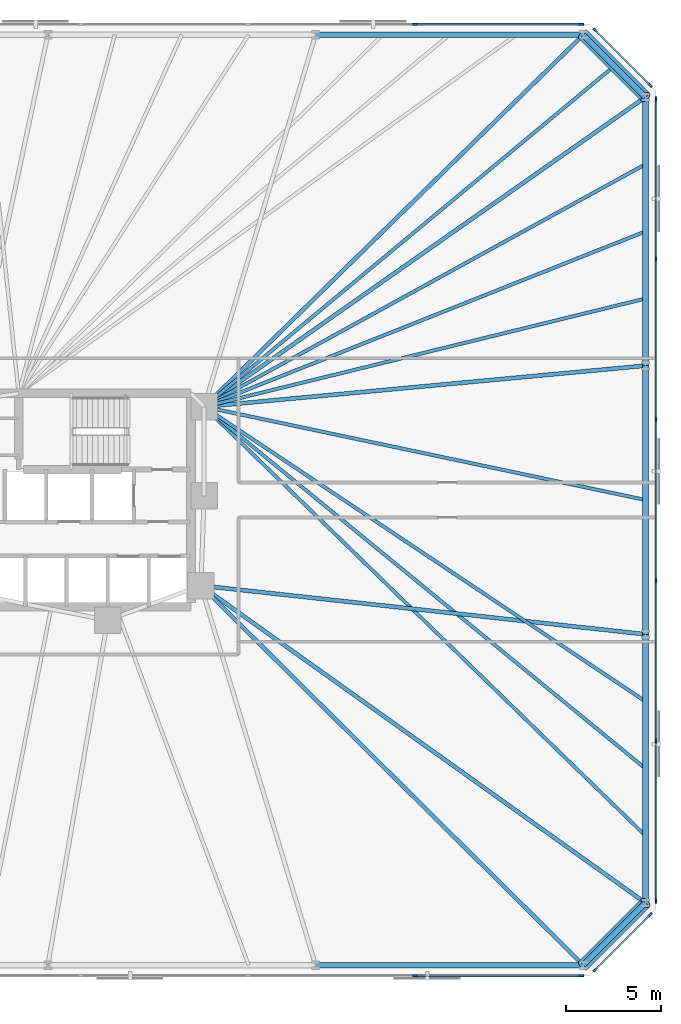
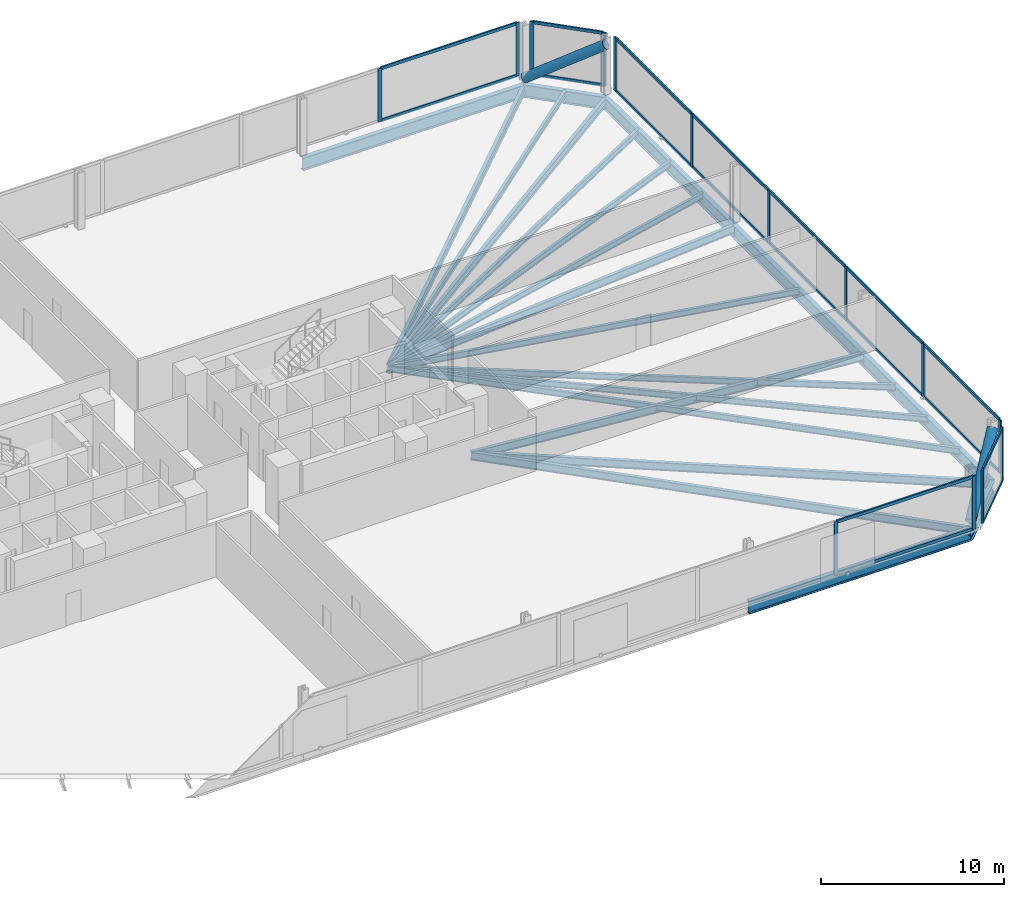
# One storey, part 10 of 16: 34 members, 21 beams, 5 elements without a shape of their own.
"""IFC4 building model written with IfcOpenShell, lengths in metres."""

from ifc_helpers import new_model, si_unit, direction, frame, origin, origin_2d, place, context, subcontext, project, spatial, rectangle, hollow_circle, i_section, extrude, material, material_profile, profile_set, type_object, element, aggregate, save


model = new_model("IFC4")

# Units and contexts
model_context = context("Model", 3, precision=1e-05, world=origin(), true_north=direction((0.0, 1.0)))
body_context = subcontext(model_context, "Body", "Model", "MODEL_VIEW")
ifc_project = project(units=[si_unit("LENGTHUNIT", "METRE"), si_unit("AREAUNIT", "SQUARE_METRE"), si_unit("VOLUMEUNIT", "CUBIC_METRE"), si_unit("PLANEANGLEUNIT", "RADIAN"), si_unit("MASSUNIT", "GRAM", prefix="KILO")], contexts=[model_context])

# Site, building, storey
site_placement = place(None, origin())
site = spatial("IfcSite", under=ifc_project, at=site_placement, CompositionType="ELEMENT")
building_placement = place(site_placement, origin())
building = spatial("IfcBuilding", under=site, at=building_placement, Name="Menara Jurai Vektor", CompositionType="ELEMENT")
storey_placement = place(building_placement, frame((0.0, 0.0, 40.800048828125)))
storey = spatial("IfcBuildingStorey", under=building, at=storey_placement, Name="L09", CompositionType="ELEMENT", Elevation=40.800048828125)

# Curtain wall, members
ifc_material_1 = material(Name="Anodised Pale Aluminium & Low-E Double Glazing", Category="aluminium")
curtain_wall_type = type_object("IfcCurtainWallType", Name="CW-BLK1", PredefinedType="NOTDEFINED", material=ifc_material_1)
curtain_wall_1_placement = place(storey_placement, origin())
curtain_wall_1 = element("IfcCurtainWall", 1, at=curtain_wall_1_placement, inside=storey, type_object=curtain_wall_type, Name="Unitised Curtain Wall L09 F01", PredefinedType="NOTDEFINED")
ifc_material_2 = material(Name="Anodised Pale Aluminium Mullion", Category="aluminium")
ifc_material_profile_1 = material_profile(ifc_material_2, rectangle(XDim=0.094970703125, YDim=0.239990234375, at=origin_2d()), Name="ALU MUL 95x240")
ifc_profile_set_1 = profile_set([ifc_material_profile_1], Name="Anodised Pale Aluminium Mullion")
member_type_1 = type_object("IfcMemberType", Name="CW-BLK1-MUL", PredefinedType="MULLION", material=ifc_profile_set_1)
member_1_placement = place(storey_placement, frame((26.340087890625, -25.0, 0.0), z_axis=(0.0, 0.0, 1.0), x_axis=(0.0, 1.0, 0.0)))
member_1 = element("IfcMember", 2, at=member_1_placement, type_object=member_type_1, Name="CW-01 mullion 8", PredefinedType="MULLION", context=body_context, shape_type="SweptSolid", body=[
    extrude(rectangle(XDim=0.094970703125, YDim=0.239990234375, at=origin_2d()), origin(), (0.0, 0.0, 1.0), 3.574951171875),
])
member_2_placement = place(storey_placement, frame((35.072509765625, -25.0, 0.0), z_axis=(0.0, 0.0, 1.0), x_axis=(0.0, 1.0, 0.0)))
member_2 = element("IfcMember", 3, at=member_2_placement, type_object=member_type_1, Name="CW-01 mullion 9", PredefinedType="MULLION", context=body_context, shape_type="SweptSolid", body=[
    extrude(rectangle(XDim=0.094970703125, YDim=0.239990234375, at=origin_2d()), origin(), (0.0, 0.0, 1.0), 3.574951171875),
])

curtain_wall_2_placement = place(storey_placement, origin())
curtain_wall_2 = element("IfcCurtainWall", 4, at=curtain_wall_2_placement, inside=storey, type_object=curtain_wall_type, Name="Unitised Curtain Wall L09 F02", PredefinedType="NOTDEFINED")
member_3_placement = place(storey_placement, frame((35.80224609375, -24.69775390625, 0.0), z_axis=(0.0, 0.0, 1.0), x_axis=(-0.707106781187, 0.707106781187, 0.0)))
member_3 = element("IfcMember", 5, at=member_3_placement, type_object=member_type_1, Name="CW-01 mullion 1", PredefinedType="MULLION", context=body_context, shape_type="SweptSolid", body=[
    extrude(rectangle(XDim=0.094970703125, YDim=0.239990234375, at=origin_2d()), origin(), (0.0, 0.0, 1.0), 3.574951171875),
])
member_4_placement = place(storey_placement, frame((38.69775390625, -21.80224609375, 0.0), z_axis=(0.0, 0.0, 1.0), x_axis=(-0.707106781187, 0.707106781187, 0.0)))
member_4 = element("IfcMember", 6, at=member_4_placement, type_object=member_type_1, Name="CW-01 mullion 2", PredefinedType="MULLION", context=body_context, shape_type="SweptSolid", body=[
    extrude(rectangle(XDim=0.094970703125, YDim=0.239990234375, at=origin_2d()), origin(), (0.0, 0.0, 1.0), 3.574951171875),
])

curtain_wall_3_placement = place(storey_placement, origin())
curtain_wall_3 = element("IfcCurtainWall", 7, at=curtain_wall_3_placement, inside=storey, type_object=curtain_wall_type, Name="Unitised Curtain Wall L09 F03", PredefinedType="NOTDEFINED")
member_5_placement = place(storey_placement, frame((39.0, -21.072509765625, 0.0), z_axis=(0.0, 0.0, 1.0), x_axis=(-1.0, 0.0, 0.0)))
member_5 = element("IfcMember", 8, at=member_5_placement, type_object=member_type_1, Name="CW-01 mullion 1", PredefinedType="MULLION", context=body_context, shape_type="SweptSolid", body=[
    extrude(rectangle(XDim=0.094970703125, YDim=0.239990234375, at=origin_2d()), origin(), (0.0, 0.0, 1.0), 3.574951171875),
])
member_6_placement = place(storey_placement, frame((39.0, -12.672119140625, 0.0), z_axis=(0.0, 0.0, 1.0), x_axis=(-1.0, 0.0, 0.0)))
member_6 = element("IfcMember", 9, at=member_6_placement, type_object=member_type_1, Name="CW-01 mullion 2", PredefinedType="MULLION", context=body_context, shape_type="SweptSolid", body=[
    extrude(rectangle(XDim=0.094970703125, YDim=0.239990234375, at=origin_2d()), origin(), (0.0, 0.0, 1.0), 3.574951171875),
])
member_7_placement = place(storey_placement, frame((39.0, -4.22412109375, 0.0), z_axis=(0.0, 0.0, 1.0), x_axis=(-1.0, 0.0, 0.0)))
member_7 = element("IfcMember", 10, at=member_7_placement, type_object=member_type_1, Name="CW-01 mullion 3", PredefinedType="MULLION", context=body_context, shape_type="SweptSolid", body=[
    extrude(rectangle(XDim=0.094970703125, YDim=0.239990234375, at=origin_2d()), origin(), (0.0, 0.0, 1.0), 3.574951171875),
])
member_8_placement = place(storey_placement, frame((39.0, 4.22412109375, 0.0), z_axis=(0.0, 0.0, 1.0), x_axis=(-1.0, 0.0, 0.0)))
member_8 = element("IfcMember", 11, at=member_8_placement, type_object=member_type_1, Name="CW-01 mullion 4", PredefinedType="MULLION", context=body_context, shape_type="SweptSolid", body=[
    extrude(rectangle(XDim=0.094970703125, YDim=0.239990234375, at=origin_2d()), origin(), (0.0, 0.0, 1.0), 3.574951171875),
])
member_9_placement = place(storey_placement, frame((39.0, 12.672119140625, 0.0), z_axis=(0.0, 0.0, 1.0), x_axis=(-1.0, 0.0, 0.0)))
member_9 = element("IfcMember", 12, at=member_9_placement, type_object=member_type_1, Name="CW-01 mullion 5", PredefinedType="MULLION", context=body_context, shape_type="SweptSolid", body=[
    extrude(rectangle(XDim=0.094970703125, YDim=0.239990234375, at=origin_2d()), origin(), (0.0, 0.0, 1.0), 3.574951171875),
])
member_10_placement = place(storey_placement, frame((39.0, 21.072509765625, 0.0), z_axis=(0.0, 0.0, 1.0), x_axis=(-1.0, 0.0, 0.0)))
member_10 = element("IfcMember", 13, at=member_10_placement, type_object=member_type_1, Name="CW-01 mullion 6", PredefinedType="MULLION", context=body_context, shape_type="SweptSolid", body=[
    extrude(rectangle(XDim=0.094970703125, YDim=0.239990234375, at=origin_2d()), origin(), (0.0, 0.0, 1.0), 3.574951171875),
])

curtain_wall_4_placement = place(storey_placement, origin())
curtain_wall_4 = element("IfcCurtainWall", 14, at=curtain_wall_4_placement, inside=storey, type_object=curtain_wall_type, Name="Unitised Curtain Wall L09 F04", PredefinedType="NOTDEFINED")
member_11_placement = place(storey_placement, frame((38.69775390625, 21.80224609375, 0.0), z_axis=(0.0, 0.0, 1.0), x_axis=(-0.707106781187, -0.707106781187, 0.0)))
member_11 = element("IfcMember", 15, at=member_11_placement, type_object=member_type_1, Name="CW-01 mullion 1", PredefinedType="MULLION", context=body_context, shape_type="SweptSolid", body=[
    extrude(rectangle(XDim=0.094970703125, YDim=0.239990234375, at=origin_2d()), origin(), (0.0, 0.0, 1.0), 3.574951171875),
])
member_12_placement = place(storey_placement, frame((35.80224609375, 24.69775390625, 0.0), z_axis=(0.0, 0.0, 1.0), x_axis=(-0.707106781187, -0.707106781187, 0.0)))
member_12 = element("IfcMember", 16, at=member_12_placement, type_object=member_type_1, Name="CW-01 mullion 2", PredefinedType="MULLION", context=body_context, shape_type="SweptSolid", body=[
    extrude(rectangle(XDim=0.094970703125, YDim=0.239990234375, at=origin_2d()), origin(), (0.0, 0.0, 1.0), 3.574951171875),
])

curtain_wall_5_placement = place(storey_placement, origin())
curtain_wall_5 = element("IfcCurtainWall", 17, at=curtain_wall_5_placement, inside=storey, type_object=curtain_wall_type, Name="Unitised Curtain Wall L09 F05", PredefinedType="NOTDEFINED")
member_13_placement = place(storey_placement, frame((35.072509765625, 25.0, 0.0), z_axis=(0.0, 0.0, 1.0), x_axis=(0.0, -1.0, 0.0)))
member_13 = element("IfcMember", 18, at=member_13_placement, type_object=member_type_1, Name="CW-01 mullion 1", PredefinedType="MULLION", context=body_context, shape_type="SweptSolid", body=[
    extrude(rectangle(XDim=0.094970703125, YDim=0.239990234375, at=origin_2d()), origin(), (0.0, 0.0, 1.0), 3.574951171875),
])
member_14_placement = place(storey_placement, frame((26.340087890625, 25.0, 0.0), z_axis=(0.0, 0.0, 1.0), x_axis=(0.0, -1.0, 0.0)))
member_14 = element("IfcMember", 19, at=member_14_placement, type_object=member_type_1, Name="CW-01 mullion 2", PredefinedType="MULLION", context=body_context, shape_type="SweptSolid", body=[
    extrude(rectangle(XDim=0.094970703125, YDim=0.239990234375, at=origin_2d()), origin(), (0.0, 0.0, 1.0), 3.574951171875),
])

# Member
ifc_material_3 = material(Name="Anodised Pale Aluminium Transom", Category="aluminium")
ifc_material_profile_2 = material_profile(ifc_material_3, rectangle(XDim=0.094970703125, YDim=0.199951171875, at=origin_2d()), Name="ALU TRN 95x200")
ifc_profile_set_2 = profile_set([ifc_material_profile_2], Name="Anodised Pale Aluminium Transom")
member_type_2 = type_object("IfcMemberType", Name="CW-BLK1-TRN", PredefinedType="USERDEFINED", material=ifc_profile_set_2)
member_15_placement = place(storey_placement, frame((26.387451171875, -25.0, 0.04736328125), z_axis=(1.0, 0.0, 0.0), x_axis=(0.0, 1.0, 0.0)))
member_15 = element("IfcMember", 20, at=member_15_placement, type_object=member_type_2, Name="CW-01 transom 8.1", ObjectType="TRANSOM", PredefinedType="USERDEFINED", context=body_context, shape_type="SweptSolid", body=[
    extrude(rectangle(XDim=0.094970703125, YDim=0.199951171875, at=origin_2d()), origin(), (0.0, 0.0, 1.0), 8.637451171875),
])

member_16_placement = place(storey_placement, frame((26.387451171875, -25.0, 3.52734375), z_axis=(1.0, 0.0, 0.0), x_axis=(0.0, 1.0, 0.0)))
member_16 = element("IfcMember", 21, at=member_16_placement, type_object=member_type_2, Name="CW-01 transom 8.2", ObjectType="TRANSOM", PredefinedType="USERDEFINED", context=body_context, shape_type="SweptSolid", body=[
    extrude(rectangle(XDim=0.094970703125, YDim=0.199951171875, at=origin_2d()), origin(), (0.0, 0.0, 1.0), 8.637451171875),
])

aggregate(curtain_wall_1, [member_1, member_2, member_15, member_16])

member_17_placement = place(storey_placement, frame((35.8359375, -24.6640625, 0.04736328125), z_axis=(0.707106781187, 0.707106781187, 0.0), x_axis=(-0.707106781187, 0.707106781187, 0.0)))
member_17 = element("IfcMember", 22, at=member_17_placement, type_object=member_type_2, Name="CW-01 transom 1.1", ObjectType="TRANSOM", PredefinedType="USERDEFINED", context=body_context, shape_type="SweptSolid", body=[
    extrude(rectangle(XDim=0.094970703125, YDim=0.199951171875, at=origin_2d()), origin(), (0.0, 0.0, 1.0), 3.99951171875),
])

member_18_placement = place(storey_placement, frame((35.8359375, -24.6640625, 3.52734375), z_axis=(0.707106781187, 0.707106781187, 0.0), x_axis=(-0.707106781187, 0.707106781187, 0.0)))
member_18 = element("IfcMember", 23, at=member_18_placement, type_object=member_type_2, Name="CW-01 transom 1.2", ObjectType="TRANSOM", PredefinedType="USERDEFINED", context=body_context, shape_type="SweptSolid", body=[
    extrude(rectangle(XDim=0.094970703125, YDim=0.199951171875, at=origin_2d()), origin(), (0.0, 0.0, 1.0), 3.99951171875),
])

aggregate(curtain_wall_2, [member_3, member_4, member_17, member_18])

member_19_placement = place(storey_placement, frame((39.0, -21.02490234375, 0.04736328125), z_axis=(0.0, 1.0, 0.0), x_axis=(-1.0, 0.0, 0.0)))
member_19 = element("IfcMember", 24, at=member_19_placement, type_object=member_type_2, Name="CW-01 transom 1.1", ObjectType="TRANSOM", PredefinedType="USERDEFINED", context=body_context, shape_type="SweptSolid", body=[
    extrude(rectangle(XDim=0.094970703125, YDim=0.199951171875, at=origin_2d()), origin(), (0.0, 0.0, 1.0), 8.305419921875),
])

member_20_placement = place(storey_placement, frame((39.0, -21.02490234375, 3.52734375), z_axis=(0.0, 1.0, 0.0), x_axis=(-1.0, 0.0, 0.0)))
member_20 = element("IfcMember", 25, at=member_20_placement, type_object=member_type_2, Name="CW-01 transom 1.2", ObjectType="TRANSOM", PredefinedType="USERDEFINED", context=body_context, shape_type="SweptSolid", body=[
    extrude(rectangle(XDim=0.094970703125, YDim=0.199951171875, at=origin_2d()), origin(), (0.0, 0.0, 1.0), 8.305419921875),
])

member_21_placement = place(storey_placement, frame((39.0, -12.62451171875, 0.04736328125), z_axis=(0.0, 1.0, 0.0), x_axis=(-1.0, 0.0, 0.0)))
member_21 = element("IfcMember", 26, at=member_21_placement, type_object=member_type_2, Name="CW-01 transom 2.1", ObjectType="TRANSOM", PredefinedType="USERDEFINED", context=body_context, shape_type="SweptSolid", body=[
    extrude(rectangle(XDim=0.094970703125, YDim=0.199951171875, at=origin_2d()), origin(), (0.0, 0.0, 1.0), 8.35302734375),
])

member_22_placement = place(storey_placement, frame((39.0, -12.62451171875, 3.52734375), z_axis=(0.0, 1.0, 0.0), x_axis=(-1.0, 0.0, 0.0)))
member_22 = element("IfcMember", 27, at=member_22_placement, type_object=member_type_2, Name="CW-01 transom 2.2", ObjectType="TRANSOM", PredefinedType="USERDEFINED", context=body_context, shape_type="SweptSolid", body=[
    extrude(rectangle(XDim=0.094970703125, YDim=0.199951171875, at=origin_2d()), origin(), (0.0, 0.0, 1.0), 8.35302734375),
])

member_23_placement = place(storey_placement, frame((39.0, -4.176513671875, 0.04736328125), z_axis=(0.0, 1.0, 0.0), x_axis=(-1.0, 0.0, 0.0)))
member_23 = element("IfcMember", 28, at=member_23_placement, type_object=member_type_2, Name="CW-01 transom 3.1", ObjectType="TRANSOM", PredefinedType="USERDEFINED", context=body_context, shape_type="SweptSolid", body=[
    extrude(rectangle(XDim=0.094970703125, YDim=0.199951171875, at=origin_2d()), origin(), (0.0, 0.0, 1.0), 8.35302734375),
])

member_24_placement = place(storey_placement, frame((39.0, -4.176513671875, 3.52734375), z_axis=(0.0, 1.0, 0.0), x_axis=(-1.0, 0.0, 0.0)))
member_24 = element("IfcMember", 29, at=member_24_placement, type_object=member_type_2, Name="CW-01 transom 3.2", ObjectType="TRANSOM", PredefinedType="USERDEFINED", context=body_context, shape_type="SweptSolid", body=[
    extrude(rectangle(XDim=0.094970703125, YDim=0.199951171875, at=origin_2d()), origin(), (0.0, 0.0, 1.0), 8.35302734375),
])

member_25_placement = place(storey_placement, frame((39.0, 4.271484375, 0.04736328125), z_axis=(0.0, 1.0, 0.0), x_axis=(-1.0, 0.0, 0.0)))
member_25 = element("IfcMember", 30, at=member_25_placement, type_object=member_type_2, Name="CW-01 transom 4.1", ObjectType="TRANSOM", PredefinedType="USERDEFINED", context=body_context, shape_type="SweptSolid", body=[
    extrude(rectangle(XDim=0.094970703125, YDim=0.199951171875, at=origin_2d()), origin(), (0.0, 0.0, 1.0), 8.35302734375),
])

member_26_placement = place(storey_placement, frame((39.0, 4.271484375, 3.52734375), z_axis=(0.0, 1.0, 0.0), x_axis=(-1.0, 0.0, 0.0)))
member_26 = element("IfcMember", 31, at=member_26_placement, type_object=member_type_2, Name="CW-01 transom 4.2", ObjectType="TRANSOM", PredefinedType="USERDEFINED", context=body_context, shape_type="SweptSolid", body=[
    extrude(rectangle(XDim=0.094970703125, YDim=0.199951171875, at=origin_2d()), origin(), (0.0, 0.0, 1.0), 8.35302734375),
])

member_27_placement = place(storey_placement, frame((39.0, 12.719482421875, 0.04736328125), z_axis=(0.0, 1.0, 0.0), x_axis=(-1.0, 0.0, 0.0)))
member_27 = element("IfcMember", 32, at=member_27_placement, type_object=member_type_2, Name="CW-01 transom 5.1", ObjectType="TRANSOM", PredefinedType="USERDEFINED", context=body_context, shape_type="SweptSolid", body=[
    extrude(rectangle(XDim=0.094970703125, YDim=0.199951171875, at=origin_2d()), origin(), (0.0, 0.0, 1.0), 8.305419921875),
])

member_28_placement = place(storey_placement, frame((39.0, 12.719482421875, 3.52734375), z_axis=(0.0, 1.0, 0.0), x_axis=(-1.0, 0.0, 0.0)))
member_28 = element("IfcMember", 33, at=member_28_placement, type_object=member_type_2, Name="CW-01 transom 5.2", ObjectType="TRANSOM", PredefinedType="USERDEFINED", context=body_context, shape_type="SweptSolid", body=[
    extrude(rectangle(XDim=0.094970703125, YDim=0.199951171875, at=origin_2d()), origin(), (0.0, 0.0, 1.0), 8.305419921875),
])

aggregate(curtain_wall_3, [member_5, member_6, member_7, member_8, member_9, member_10, member_19, member_20, member_21, member_22, member_23, member_24, member_25, member_26, member_27, member_28])

member_29_placement = place(storey_placement, frame((38.6640625, 21.8359375, 0.04736328125), z_axis=(-0.707106781187, 0.707106781187, 0.0), x_axis=(-0.707106781187, -0.707106781187, 0.0)))
member_29 = element("IfcMember", 34, at=member_29_placement, type_object=member_type_2, Name="CW-01 transom 1.1", ObjectType="TRANSOM", PredefinedType="USERDEFINED", context=body_context, shape_type="SweptSolid", body=[
    extrude(rectangle(XDim=0.094970703125, YDim=0.199951171875, at=origin_2d()), origin(), (0.0, 0.0, 1.0), 3.99951171875),
])

member_30_placement = place(storey_placement, frame((38.6640625, 21.8359375, 3.52734375), z_axis=(-0.707106781187, 0.707106781187, 0.0), x_axis=(-0.707106781187, -0.707106781187, 0.0)))
member_30 = element("IfcMember", 35, at=member_30_placement, type_object=member_type_2, Name="CW-01 transom 1.2", ObjectType="TRANSOM", PredefinedType="USERDEFINED", context=body_context, shape_type="SweptSolid", body=[
    extrude(rectangle(XDim=0.094970703125, YDim=0.199951171875, at=origin_2d()), origin(), (0.0, 0.0, 1.0), 3.99951171875),
])

aggregate(curtain_wall_4, [member_11, member_12, member_29, member_30])

member_31_placement = place(storey_placement, frame((35.02490234375, 25.0, 0.04736328125), z_axis=(-1.0, 0.0, 0.0), x_axis=(0.0, -1.0, 0.0)))
member_31 = element("IfcMember", 36, at=member_31_placement, type_object=member_type_2, Name="CW-01 transom 1.1", ObjectType="TRANSOM", PredefinedType="USERDEFINED", context=body_context, shape_type="SweptSolid", body=[
    extrude(rectangle(XDim=0.094970703125, YDim=0.199951171875, at=origin_2d()), origin(), (0.0, 0.0, 1.0), 8.637451171875),
])

member_32_placement = place(storey_placement, frame((35.02490234375, 25.0, 3.52734375), z_axis=(-1.0, 0.0, 0.0), x_axis=(0.0, -1.0, 0.0)))
member_32 = element("IfcMember", 37, at=member_32_placement, type_object=member_type_2, Name="CW-01 transom 1.2", ObjectType="TRANSOM", PredefinedType="USERDEFINED", context=body_context, shape_type="SweptSolid", body=[
    extrude(rectangle(XDim=0.094970703125, YDim=0.199951171875, at=origin_2d()), origin(), (0.0, 0.0, 1.0), 8.637451171875),
])

aggregate(curtain_wall_5, [member_13, member_14, member_31, member_32])

# Beams
ifc_material_4 = material(Name="Steel S355", Category="steel")
ifc_material_profile_3 = material_profile(ifc_material_4, i_section(OverallWidth=0.2109375, OverallDepth=0.5390625, WebThickness=0.011962890625, FlangeThickness=0.01904296875, FilletRadius=0.012939453125, at=origin_2d()), Name="UKB 533x210x109")
ifc_profile_set_3 = profile_set([ifc_material_profile_3], Name="Steel S355")
beam_type_1 = type_object("IfcBeamType", Name="STR-BM-533", PredefinedType="BEAM", material=ifc_profile_set_3)
beam_1_placement = place(storey_placement, frame((35.177734375, -24.449951171875, -0.49462890625), z_axis=(-0.709709931659, 0.704494011972, 0.0), x_axis=(-0.704494011972, -0.709709931659, 0.0)))
element("IfcBeam", 38, at=beam_1_placement, inside=storey, type_object=beam_type_1, Name="Radial Floor Girder L09-S6", PredefinedType="BEAM", context=body_context, shape_type="SweptSolid", body=[
    extrude(i_section(OverallWidth=0.2109375, OverallDepth=0.5390625, WebThickness=0.011962890625, FlangeThickness=0.01904296875, FilletRadius=0.012939453125, at=origin_2d()), origin(), (0.0, 0.0, 1.0), 28.318115234375),
])
beam_2_placement = place(storey_placement, frame((38.449951171875, -21.177734375, -0.49462890625), z_axis=(-0.813981033216, 0.580891450759, 0.0), x_axis=(-0.580891450759, -0.813981033216, 0.0)))
element("IfcBeam", 39, at=beam_2_placement, inside=storey, type_object=beam_type_1, Name="Radial Floor Girder L09-E1", PredefinedType="BEAM", context=body_context, shape_type="SweptSolid", body=[
    extrude(i_section(OverallWidth=0.2109375, OverallDepth=0.5390625, WebThickness=0.011962890625, FlangeThickness=0.01904296875, FilletRadius=0.012939453125, at=origin_2d()), origin(), (0.0, 0.0, 1.0), 28.710693359375),
])
beam_3_placement = place(storey_placement, frame((38.449951171875, -7.059326171875, -0.49462890625), z_axis=(-0.994056757953, 0.108863042253, 0.0), x_axis=(-0.108863042253, -0.994056757953, 0.0)))
element("IfcBeam", 40, at=beam_3_placement, inside=storey, type_object=beam_type_1, Name="Radial Floor Girder L09-E2", PredefinedType="BEAM", context=body_context, shape_type="SweptSolid", body=[
    extrude(i_section(OverallWidth=0.2109375, OverallDepth=0.5390625, WebThickness=0.011962890625, FlangeThickness=0.01904296875, FilletRadius=0.012939453125, at=origin_2d()), origin(), (0.0, 0.0, 1.0), 23.509521484375),
])
beam_4_placement = place(storey_placement, frame((38.449951171875, 7.059326171875, -0.49462890625), z_axis=(-0.995696113112, -0.092678208514, 0.0), x_axis=(0.092678208514, -0.995696113112, 0.0)))
element("IfcBeam", 41, at=beam_4_placement, inside=storey, type_object=beam_type_1, Name="Radial Floor Girder L09-E3", PredefinedType="BEAM", context=body_context, shape_type="SweptSolid", body=[
    extrude(i_section(OverallWidth=0.2109375, OverallDepth=0.5390625, WebThickness=0.011962890625, FlangeThickness=0.01904296875, FilletRadius=0.012939453125, at=origin_2d()), origin(), (0.0, 0.0, 1.0), 23.30029296875),
])
beam_5_placement = place(storey_placement, frame((38.449951171875, 21.177734375, -0.49462890625), z_axis=(-0.818603732445, -0.574358711283, 0.0), x_axis=(0.574358711283, -0.818603732445, 0.0)))
element("IfcBeam", 42, at=beam_5_placement, inside=storey, type_object=beam_type_1, Name="Radial Floor Girder L09-E4", PredefinedType="BEAM", context=body_context, shape_type="SweptSolid", body=[
    extrude(i_section(OverallWidth=0.2109375, OverallDepth=0.5390625, WebThickness=0.011962890625, FlangeThickness=0.01904296875, FilletRadius=0.012939453125, at=origin_2d()), origin(), (0.0, 0.0, 1.0), 28.3408203125),
])
beam_6_placement = place(storey_placement, frame((35.177734375, 24.449951171875, -0.49462890625), z_axis=(-0.713839032855, -0.700309813706, 0.0), x_axis=(0.700309813706, -0.713839032855, 0.0)))
element("IfcBeam", 43, at=beam_6_placement, inside=storey, type_object=beam_type_1, Name="Radial Floor Girder L09-N1", PredefinedType="BEAM", context=body_context, shape_type="SweptSolid", body=[
    extrude(i_section(OverallWidth=0.2109375, OverallDepth=0.5390625, WebThickness=0.011962890625, FlangeThickness=0.01904296875, FilletRadius=0.012939453125, at=origin_2d()), origin(), (0.0, 0.0, 1.0), 27.916259765625),
])

# Members
ifc_material_5 = material(Name="Steel S460", Category="steel")
ifc_material_profile_4 = material_profile(ifc_material_5, hollow_circle(Radius=0.304931640625, WallThickness=0.02490234375, at=origin_2d()), Name="CHS 610x25")
ifc_profile_set_4 = profile_set([ifc_material_profile_4], Name="Steel S460")
member_type_3 = type_object("IfcMemberType", Name="STR-BR-610", PredefinedType="BRACE", material=ifc_profile_set_4)
for number, where, z_axis, x_axis, name in (
    (44, (35.177734375, -24.449951171875, 0.14990234375), (0.588942422958, 0.588942422958, 0.553438022619), (-0.707106781187, 0.707106781187, 0.0), "Exoskeleton Corner Brace L09-1"),
    (45, (35.177734375, 24.449951171875, 0.14990234375), (0.588942422958, -0.588942422958, 0.553438022619), (0.707106781187, 0.707106781187, 0.0), "Exoskeleton Corner Brace L09-2"),
):
    element("IfcMember", number, at=place(storey_placement, frame(where, z_axis=z_axis, x_axis=x_axis)), inside=storey, type_object=member_type_3, Name=name, PredefinedType="BRACE", context=body_context, shape_type="SweptSolid", body=[
        extrude(hollow_circle(Radius=0.304931640625, WallThickness=0.02490234375, at=origin_2d()), origin(), (0.0, 0.0, 1.0), 5.55615234375),
    ])

# Beams
ifc_material_profile_5 = material_profile(ifc_material_4, i_section(OverallWidth=0.178955078125, OverallDepth=0.408935546875, WebThickness=0.009033203125, FlangeThickness=0.013916015625, FilletRadius=0.010009765625, at=origin_2d()), Name="UKB 406x178x67")
ifc_profile_set_5 = profile_set([ifc_material_profile_5], Name="Steel S355")
beam_type_2 = type_object("IfcBeamType", Name="STR-JS-406", PredefinedType="JOIST", material=ifc_profile_set_5)
beam_7_placement = place(storey_placement, frame((38.449951171875, -17.648193359375, -0.429443359375), z_axis=(-0.71710942187, 0.696960599363, 0.0), x_axis=(-0.696960599363, -0.71710942187, 0.0)))
element("IfcBeam", 46, at=beam_7_placement, inside=storey, type_object=beam_type_2, Name="Radial Secondary Floor Joist L09-JS08", PredefinedType="JOIST", context=body_context, shape_type="SweptSolid", body=[
    extrude(i_section(OverallWidth=0.178955078125, OverallDepth=0.408935546875, WebThickness=0.009033203125, FlangeThickness=0.013916015625, FilletRadius=0.010009765625, at=origin_2d()), origin(), (0.0, 0.0, 1.0), 32.35205078125),
])
beam_8_placement = place(storey_placement, frame((38.449951171875, -14.118408203125, -0.429443359375), z_axis=(-0.773360118456, 0.633966976413, 0.0), x_axis=(-0.633966976413, -0.773360118456, 0.0)))
element("IfcBeam", 47, at=beam_8_placement, inside=storey, type_object=beam_type_2, Name="Radial Secondary Floor Joist L09-JS09", PredefinedType="JOIST", context=body_context, shape_type="SweptSolid", body=[
    extrude(i_section(OverallWidth=0.178955078125, OverallDepth=0.408935546875, WebThickness=0.009033203125, FlangeThickness=0.013916015625, FilletRadius=0.010009765625, at=origin_2d()), origin(), (0.0, 0.0, 1.0), 29.998779296875),
])
beam_9_placement = place(storey_placement, frame((38.449951171875, -10.5888671875, -0.429443359375), z_axis=(-0.831683872109, 0.555249436627, 0.0), x_axis=(-0.555249436627, -0.831683872109, 0.0)))
element("IfcBeam", 48, at=beam_9_placement, inside=storey, type_object=beam_type_2, Name="Radial Secondary Floor Joist L09-JS10", PredefinedType="JOIST", context=body_context, shape_type="SweptSolid", body=[
    extrude(i_section(OverallWidth=0.178955078125, OverallDepth=0.408935546875, WebThickness=0.009033203125, FlangeThickness=0.013916015625, FilletRadius=0.010009765625, at=origin_2d()), origin(), (0.0, 0.0, 1.0), 27.895263671875),
])
beam_10_placement = place(storey_placement, frame((38.449951171875, 0.0, -0.429443359375), z_axis=(-0.978416084102, 0.206644541109, 0.0), x_axis=(-0.206644541109, -0.978416084102, 0.0)))
element("IfcBeam", 49, at=beam_10_placement, inside=storey, type_object=beam_type_2, Name="Radial Secondary Floor Joist L09-JS11", PredefinedType="JOIST", context=body_context, shape_type="SweptSolid", body=[
    extrude(i_section(OverallWidth=0.178955078125, OverallDepth=0.408935546875, WebThickness=0.009033203125, FlangeThickness=0.013916015625, FilletRadius=0.010009765625, at=origin_2d()), origin(), (0.0, 0.0, 1.0), 23.711669921875),
])
beam_11_placement = place(storey_placement, frame((38.449951171875, 10.5888671875, -0.429443359375), z_axis=(-0.971226234641, -0.238158772976, 0.0), x_axis=(0.238158772976, -0.971226234641, 0.0)))
element("IfcBeam", 50, at=beam_11_placement, inside=storey, type_object=beam_type_2, Name="Radial Secondary Floor Joist L09-JS12", PredefinedType="JOIST", context=body_context, shape_type="SweptSolid", body=[
    extrude(i_section(OverallWidth=0.178955078125, OverallDepth=0.408935546875, WebThickness=0.009033203125, FlangeThickness=0.013916015625, FilletRadius=0.010009765625, at=origin_2d()), origin(), (0.0, 0.0, 1.0), 23.88720703125),
])
beam_12_placement = place(storey_placement, frame((38.449951171875, 14.118408203125, -0.429443359375), z_axis=(-0.929323400723, -0.369266864027, 0.0), x_axis=(0.369266864027, -0.929323400723, 0.0)))
element("IfcBeam", 51, at=beam_12_placement, inside=storey, type_object=beam_type_2, Name="Radial Secondary Floor Joist L09-JS13", PredefinedType="JOIST", context=body_context, shape_type="SweptSolid", body=[
    extrude(i_section(OverallWidth=0.178955078125, OverallDepth=0.408935546875, WebThickness=0.009033203125, FlangeThickness=0.013916015625, FilletRadius=0.010009765625, at=origin_2d()), origin(), (0.0, 0.0, 1.0), 24.96435546875),
])
beam_13_placement = place(storey_placement, frame((38.449951171875, 17.648193359375, -0.429443359375), z_axis=(-0.87640219057, -0.481579900291, 0.0), x_axis=(0.481579900291, -0.87640219057, 0.0)))
element("IfcBeam", 52, at=beam_13_placement, inside=storey, type_object=beam_type_2, Name="Radial Secondary Floor Joist L09-JS14", PredefinedType="JOIST", context=body_context, shape_type="SweptSolid", body=[
    extrude(i_section(OverallWidth=0.178955078125, OverallDepth=0.408935546875, WebThickness=0.009033203125, FlangeThickness=0.013916015625, FilletRadius=0.010009765625, at=origin_2d()), origin(), (0.0, 0.0, 1.0), 26.471923828125),
])
beam_14_placement = place(storey_placement, frame((36.81396484375, 22.81396484375, -0.429443359375), z_axis=(-0.769201173096, -0.639006694259, 0.0), x_axis=(0.639006694259, -0.769201173096, 0.0)))
element("IfcBeam", 53, at=beam_14_placement, inside=storey, type_object=beam_type_2, Name="Radial Secondary Floor Joist L09-JS15", PredefinedType="JOIST", context=body_context, shape_type="SweptSolid", body=[
    extrude(i_section(OverallWidth=0.178955078125, OverallDepth=0.408935546875, WebThickness=0.009033203125, FlangeThickness=0.013916015625, FilletRadius=0.010009765625, at=origin_2d()), origin(), (0.0, 0.0, 1.0), 28.0341796875),
])
ifc_material_profile_6 = material_profile(ifc_material_5, i_section(OverallWidth=0.2939453125, OverallDepth=0.85107421875, WebThickness=0.01611328125, FlangeThickness=0.027099609375, FilletRadius=0.01806640625, at=origin_2d()), Name="UKB 838x292x226")
ifc_profile_set_6 = profile_set([ifc_material_profile_6], Name="Steel S460")
beam_type_3 = type_object("IfcBeamType", Name="STR-SP-838", PredefinedType="SPANDREL", material=ifc_profile_set_6)
beam_15_placement = place(storey_placement, frame((21.106689453125, -24.449951171875, -0.650634765625), z_axis=(1.0, 0.0, 0.0), x_axis=(0.0, 1.0, 0.0)))
element("IfcBeam", 54, at=beam_15_placement, inside=storey, type_object=beam_type_3, Name="Exoskeleton Spandrel Beam L09-05", PredefinedType="SPANDREL", context=body_context, shape_type="SweptSolid", body=[
    extrude(i_section(OverallWidth=0.2939453125, OverallDepth=0.85107421875, WebThickness=0.01611328125, FlangeThickness=0.027099609375, FilletRadius=0.01806640625, at=origin_2d()), origin(), (0.0, 0.0, 1.0), 14.071044921875),
])
beam_16_placement = place(storey_placement, frame((35.177734375, -24.449951171875, -0.650634765625), z_axis=(0.707106781187, 0.707106781187, 0.0), x_axis=(-0.707106781187, 0.707106781187, 0.0)))
element("IfcBeam", 55, at=beam_16_placement, inside=storey, type_object=beam_type_3, Name="Exoskeleton Spandrel Beam L09-06", PredefinedType="SPANDREL", context=body_context, shape_type="SweptSolid", body=[
    extrude(i_section(OverallWidth=0.2939453125, OverallDepth=0.85107421875, WebThickness=0.01611328125, FlangeThickness=0.027099609375, FilletRadius=0.01806640625, at=origin_2d()), origin(), (0.0, 0.0, 1.0), 4.627685546875),
])
beam_17_placement = place(storey_placement, frame((38.449951171875, -21.177734375, -0.650634765625), z_axis=(0.0, 1.0, 0.0), x_axis=(-1.0, 0.0, 0.0)))
element("IfcBeam", 56, at=beam_17_placement, inside=storey, type_object=beam_type_3, Name="Exoskeleton Spandrel Beam L09-07", PredefinedType="SPANDREL", context=body_context, shape_type="SweptSolid", body=[
    extrude(i_section(OverallWidth=0.2939453125, OverallDepth=0.85107421875, WebThickness=0.01611328125, FlangeThickness=0.027099609375, FilletRadius=0.01806640625, at=origin_2d()), origin(), (0.0, 0.0, 1.0), 14.118408203125),
])
beam_18_placement = place(storey_placement, frame((38.449951171875, -7.059326171875, -0.650634765625), z_axis=(0.0, 1.0, 0.0), x_axis=(-1.0, 0.0, 0.0)))
element("IfcBeam", 57, at=beam_18_placement, inside=storey, type_object=beam_type_3, Name="Exoskeleton Spandrel Beam L09-08", PredefinedType="SPANDREL", context=body_context, shape_type="SweptSolid", body=[
    extrude(i_section(OverallWidth=0.2939453125, OverallDepth=0.85107421875, WebThickness=0.01611328125, FlangeThickness=0.027099609375, FilletRadius=0.01806640625, at=origin_2d()), origin(), (0.0, 0.0, 1.0), 14.11865234375),
])
beam_19_placement = place(storey_placement, frame((38.449951171875, 7.059326171875, -0.650634765625), z_axis=(0.0, 1.0, 0.0), x_axis=(-1.0, 0.0, 0.0)))
element("IfcBeam", 58, at=beam_19_placement, inside=storey, type_object=beam_type_3, Name="Exoskeleton Spandrel Beam L09-09", PredefinedType="SPANDREL", context=body_context, shape_type="SweptSolid", body=[
    extrude(i_section(OverallWidth=0.2939453125, OverallDepth=0.85107421875, WebThickness=0.01611328125, FlangeThickness=0.027099609375, FilletRadius=0.01806640625, at=origin_2d()), origin(), (0.0, 0.0, 1.0), 14.118408203125),
])
beam_20_placement = place(storey_placement, frame((38.449951171875, 21.177734375, -0.650634765625), z_axis=(-0.707106781187, 0.707106781187, 0.0), x_axis=(-0.707106781187, -0.707106781187, 0.0)))
element("IfcBeam", 59, at=beam_20_placement, inside=storey, type_object=beam_type_3, Name="Exoskeleton Spandrel Beam L09-10", PredefinedType="SPANDREL", context=body_context, shape_type="SweptSolid", body=[
    extrude(i_section(OverallWidth=0.2939453125, OverallDepth=0.85107421875, WebThickness=0.01611328125, FlangeThickness=0.027099609375, FilletRadius=0.01806640625, at=origin_2d()), origin(), (0.0, 0.0, 1.0), 4.627685546875),
])
beam_21_placement = place(storey_placement, frame((35.177734375, 24.449951171875, -0.650634765625), z_axis=(-1.0, 0.0, 0.0), x_axis=(0.0, -1.0, 0.0)))
element("IfcBeam", 60, at=beam_21_placement, inside=storey, type_object=beam_type_3, Name="Exoskeleton Spandrel Beam L09-11", PredefinedType="SPANDREL", context=body_context, shape_type="SweptSolid", body=[
    extrude(i_section(OverallWidth=0.2939453125, OverallDepth=0.85107421875, WebThickness=0.01611328125, FlangeThickness=0.027099609375, FilletRadius=0.01806640625, at=origin_2d()), origin(), (0.0, 0.0, 1.0), 14.071044921875),
])

save(model, "model.ifc")
